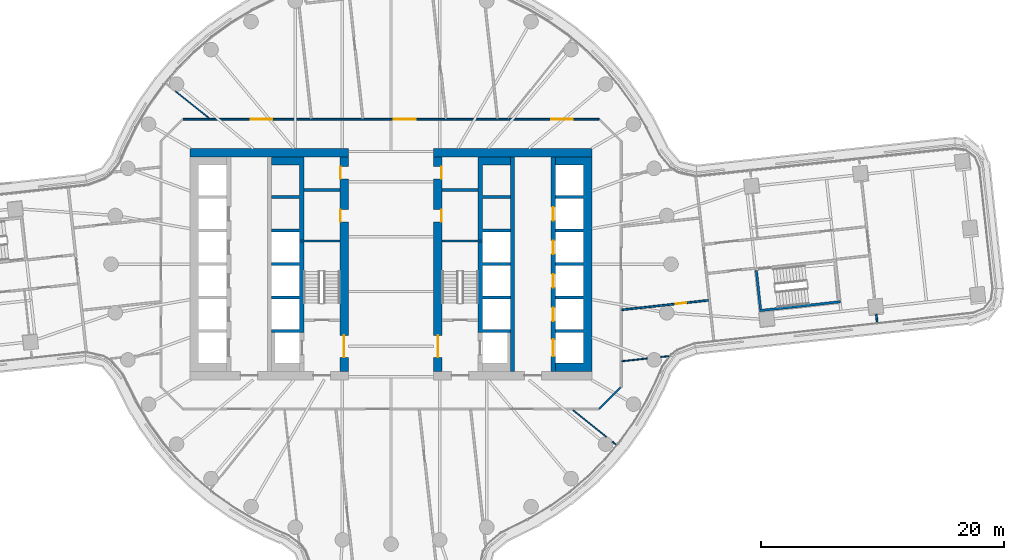
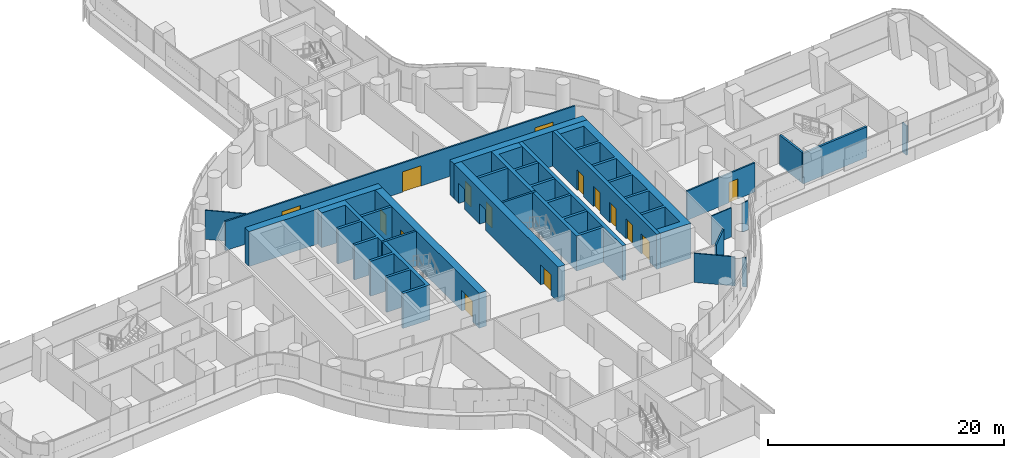
# One storey, part 21 of 31: 24 walls, 15 doors, 15 openings.
"""IFC4 building model written with IfcOpenShell, lengths in metres."""

from ifc_helpers import new_model, si_unit, direction, frame, frame_2d, origin, place, context, subcontext, project, spatial, polyline, rectangle, outline, extrude, material, layer, layer_set, type_object, element, fill, save


model = new_model("IFC4")

# Units and contexts
model_context = context("Model", 3, precision=1e-05, world=origin(), true_north=direction((0.0, 1.0)))
body_context = subcontext(model_context, "Body", "Model", "MODEL_VIEW")
ifc_project = project(units=[si_unit("LENGTHUNIT", "METRE"), si_unit("AREAUNIT", "SQUARE_METRE"), si_unit("VOLUMEUNIT", "CUBIC_METRE"), si_unit("PLANEANGLEUNIT", "RADIAN"), si_unit("MASSUNIT", "GRAM", prefix="KILO")], contexts=[model_context])

# Site, building, storey
site_placement = place(None, origin())
site = spatial("IfcSite", under=ifc_project, at=site_placement, CompositionType="ELEMENT")
building_placement = place(site_placement, origin())
building = spatial("IfcBuilding", under=site, at=building_placement, Name="Tamarind Cross Interchange Tower", CompositionType="ELEMENT")
storey_placement = place(building_placement, frame((0.0, 0.0, 56.5)))
storey = spatial("IfcBuildingStorey", under=building, at=storey_placement, Name="L12", CompositionType="ELEMENT", Elevation=56.5)

# Wall
ifc_material_1 = material(Name="Concrete C80", Category="concrete")
ifc_layer_1 = layer(ifc_material_1, 0.699951171875)
ifc_layer_set_1 = layer_set([ifc_layer_1], Name="Concrete C80")
wall_type_1 = type_object("IfcWallType", Name="Core wall 700 mm Concrete C80", PredefinedType="SHEAR", material=ifc_layer_set_1)
wall_1_placement = place(storey_placement, frame((-16.5, 9.14990234375, 0.0), z_axis=(0.0, 0.0, 1.0), x_axis=(1.0, 0.0, 0.0)))
element("IfcWall", 1, at=wall_1_placement, inside=storey, type_object=wall_type_1, Name="Core wall CWL-L12-W-NE", PredefinedType="SHEAR", context=body_context, shape_type="SweptSolid", body=[
    extrude(rectangle(XDim=13.0, YDim=0.699951171875, at=frame_2d((6.5, 0.0))), origin(), (0.0, 0.0, 1.0), 3.610107421875),
])

# Wall, openings, doors
wall_2_placement = place(storey_placement, frame((-3.85009765625, -8.800048828125, 0.0), z_axis=(0.0, 0.0, 1.0), x_axis=(0.0, 1.0, 0.0)))
wall_2 = element("IfcWall", 2, at=wall_2_placement, inside=storey, type_object=wall_type_1, Name="Core wall CWL-L12-W-IN", PredefinedType="SHEAR", context=body_context, shape_type="SweptSolid", body=[
    extrude(rectangle(XDim=17.60009765625, YDim=0.699951171875, at=frame_2d((8.800048828125, 0.0))), origin(), (0.0, 0.0, 1.0), 3.610107421875),
])
opening_1_placement = place(wall_2_placement, frame((1.14990234375, 0.0, 0.0)))
opening_1 = element("IfcOpeningElement", 3, at=opening_1_placement, cuts=wall_2, Name="Opening DCW4", PredefinedType="OPENING", context=body_context, shape_type="SweptSolid", body=[
    extrude(rectangle(XDim=1.800048828125, YDim=2.10009765625, at=frame_2d((0.89990234375, 1.050048828125))), frame((0.0, 0.35986328125, 0.0), z_axis=(0.0, -1.0, 0.0), x_axis=(1.0, 0.0, 0.0)), (0.0, 0.0, 1.0), 0.719970703125),
])
opening_2_placement = place(wall_2_placement, frame((12.277587890625, 0.0, 0.0)))
opening_2 = element("IfcOpeningElement", 4, at=opening_2_placement, cuts=wall_2, Name="Opening DCW5", PredefinedType="OPENING", context=body_context, shape_type="SweptSolid", body=[
    extrude(rectangle(XDim=1.0, YDim=2.10009765625, at=frame_2d((0.5, 1.050048828125))), frame((0.0, 0.35986328125, 0.0), z_axis=(0.0, -1.0, 0.0), x_axis=(1.0, 0.0, 0.0)), (0.0, 0.0, 1.0), 0.719970703125),
])
opening_3_placement = place(wall_2_placement, frame((15.802490234375, 0.0, 0.0)))
opening_3 = element("IfcOpeningElement", 5, at=opening_3_placement, cuts=wall_2, Name="Opening DCW5", PredefinedType="OPENING", context=body_context, shape_type="SweptSolid", body=[
    extrude(rectangle(XDim=1.0, YDim=2.10009765625, at=frame_2d((0.5, 1.050048828125))), frame((0.0, 0.35986328125, 0.0), z_axis=(0.0, -1.0, 0.0), x_axis=(1.0, 0.0, 0.0)), (0.0, 0.0, 1.0), 0.719970703125),
])
ifc_material_2 = material(Name="Steel, fire-resisting", Category="steel")
door_type_1 = type_object("IfcDoorType", Name="Core fire door 1000 x 2100 FD90", OperationType="SINGLE_SWING_LEFT", PredefinedType="DOOR", material=ifc_material_2)
door_1_placement = place(opening_2_placement, origin())
door_1 = element("IfcDoor", 6, at=door_1_placement, inside=storey, type_object=door_type_1, Name="L12 cleaner's store door", OperationType="SINGLE_SWING_LEFT", OverallHeight=2.10009765625, OverallWidth=1.0, PredefinedType="DOOR", context=body_context, shape_type="SweptSolid", body=[
    extrude(rectangle(XDim=1.0, YDim=2.10009765625, at=frame_2d((0.5, 1.050048828125))), frame((0.0, 0.3251953125, 0.0), z_axis=(0.0, -1.0, 0.0), x_axis=(1.0, 0.0, 0.0)), (0.0, 0.0, 1.0), 0.050048828125),
])
fill(opening_2, door_1)
door_2_placement = place(opening_3_placement, origin())
door_2 = element("IfcDoor", 7, at=door_2_placement, inside=storey, type_object=door_type_1, Name="L12 comms room door", OperationType="SINGLE_SWING_LEFT", OverallHeight=2.10009765625, OverallWidth=1.0, PredefinedType="DOOR", context=body_context, shape_type="SweptSolid", body=[
    extrude(rectangle(XDim=1.0, YDim=2.10009765625, at=frame_2d((0.5, 1.050048828125))), frame((0.0, 0.3251953125, 0.0), z_axis=(0.0, -1.0, 0.0), x_axis=(1.0, 0.0, 0.0)), (0.0, 0.0, 1.0), 0.050048828125),
])
fill(opening_3, door_2)
door_type_2 = type_object("IfcDoorType", Name="Core fire door 1800 x 2100 FD90", OperationType="SINGLE_SWING_LEFT", PredefinedType="DOOR", material=ifc_material_2)
door_3_placement = place(opening_1_placement, origin())
door_3 = element("IfcDoor", 8, at=door_3_placement, inside=storey, type_object=door_type_2, Name="L12 firefighting lobby door", OperationType="SINGLE_SWING_LEFT", OverallHeight=2.10009765625, OverallWidth=1.800048828125, PredefinedType="DOOR", context=body_context, shape_type="SweptSolid", body=[
    extrude(rectangle(XDim=1.800048828125, YDim=2.10009765625, at=frame_2d((0.89990234375, 1.050048828125))), frame((0.0, 0.02490234375, 0.0), z_axis=(0.0, -1.0, 0.0), x_axis=(1.0, 0.0, 0.0)), (0.0, 0.0, 1.0), 0.050048828125),
])
fill(opening_1, door_3)

# Walls
wall_3_placement = place(storey_placement, origin())
element("IfcWall", 9, at=wall_3_placement, inside=storey, type_object=wall_type_1, Name="Core wall CWL-L12-E-A", PredefinedType="SHEAR", context=body_context, shape_type="SweptSolid", body=[
    extrude(outline(polyline([(13.5, -8.800048828125), (15.800048828125, -8.800048828125), (16.5, -8.800048828125), (16.5, 8.800048828125), (15.800048828125, 8.800048828125), (13.5, 8.800048828125), (13.5, 8.125), (15.800048828125, 8.125), (15.800048828125, 5.625), (13.5, 5.625), (13.5, 5.375), (15.800048828125, 5.375), (15.800048828125, 2.875), (13.5, 2.875), (13.5, 2.625), (15.800048828125, 2.625), (15.800048828125, 0.125), (13.5, 0.125), (13.5, -0.125), (15.800048828125, -0.125), (15.800048828125, -2.625), (13.5, -2.625), (13.5, -2.875), (15.800048828125, -2.875), (15.800048828125, -5.375), (13.5, -5.375), (13.5, -5.625), (15.800048828125, -5.625), (15.800048828125, -8.125), (13.5, -8.125), (13.5, -8.800048828125)])), origin(), (0.0, 0.0, 1.0), 3.610107421875),
])
wall_4_placement = place(storey_placement, frame((16.5, 9.14990234375, 0.0), z_axis=(0.0, 0.0, 1.0), x_axis=(-1.0, 0.0, 0.0)))
element("IfcWall", 10, at=wall_4_placement, inside=storey, type_object=wall_type_1, Name="Core wall CWL-L12-E-NE", PredefinedType="SHEAR", context=body_context, shape_type="SweptSolid", body=[
    extrude(rectangle(XDim=13.0, YDim=0.699951171875, at=frame_2d((6.5, 0.0))), origin(), (0.0, 0.0, 1.0), 3.610107421875),
])

# Wall, openings, doors
wall_5_placement = place(storey_placement, frame((3.85009765625, -8.800048828125, 0.0), z_axis=(0.0, 0.0, 1.0), x_axis=(0.0, 1.0, 0.0)))
wall_5 = element("IfcWall", 11, at=wall_5_placement, inside=storey, type_object=wall_type_1, Name="Core wall CWL-L12-E-IN", PredefinedType="SHEAR", context=body_context, shape_type="SweptSolid", body=[
    extrude(rectangle(XDim=17.60009765625, YDim=0.699951171875, at=frame_2d((8.800048828125, 0.0))), origin(), (0.0, 0.0, 1.0), 3.610107421875),
])
opening_4_placement = place(wall_5_placement, frame((1.14990234375, 0.0, 0.0)))
opening_4 = element("IfcOpeningElement", 12, at=opening_4_placement, cuts=wall_5, Name="Opening DCE4", PredefinedType="OPENING", context=body_context, shape_type="SweptSolid", body=[
    extrude(rectangle(XDim=1.800048828125, YDim=2.10009765625, at=frame_2d((0.89990234375, 1.050048828125))), frame((0.0, 0.35986328125, 0.0), z_axis=(0.0, -1.0, 0.0), x_axis=(1.0, 0.0, 0.0)), (0.0, 0.0, 1.0), 0.719970703125),
])
opening_5_placement = place(wall_5_placement, frame((12.277587890625, 0.0, 0.0)))
opening_5 = element("IfcOpeningElement", 13, at=opening_5_placement, cuts=wall_5, Name="Opening DCE5", PredefinedType="OPENING", context=body_context, shape_type="SweptSolid", body=[
    extrude(rectangle(XDim=1.0, YDim=2.10009765625, at=frame_2d((0.5, 1.050048828125))), frame((0.0, 0.35986328125, 0.0), z_axis=(0.0, -1.0, 0.0), x_axis=(1.0, 0.0, 0.0)), (0.0, 0.0, 1.0), 0.719970703125),
])
opening_6_placement = place(wall_5_placement, frame((15.802490234375, 0.0, 0.0)))
opening_6 = element("IfcOpeningElement", 14, at=opening_6_placement, cuts=wall_5, Name="Opening DCE5", PredefinedType="OPENING", context=body_context, shape_type="SweptSolid", body=[
    extrude(rectangle(XDim=1.0, YDim=2.10009765625, at=frame_2d((0.5, 1.050048828125))), frame((0.0, 0.35986328125, 0.0), z_axis=(0.0, -1.0, 0.0), x_axis=(1.0, 0.0, 0.0)), (0.0, 0.0, 1.0), 0.719970703125),
])
door_4_placement = place(opening_5_placement, origin())
door_4 = element("IfcDoor", 15, at=door_4_placement, inside=storey, type_object=door_type_1, Name="L12 cleaner's store door", OperationType="SINGLE_SWING_LEFT", OverallHeight=2.10009765625, OverallWidth=1.0, PredefinedType="DOOR", context=body_context, shape_type="SweptSolid", body=[
    extrude(rectangle(XDim=1.0, YDim=2.10009765625, at=frame_2d((0.5, 1.050048828125))), frame((0.0, -0.27490234375, 0.0), z_axis=(0.0, -1.0, 0.0), x_axis=(1.0, 0.0, 0.0)), (0.0, 0.0, 1.0), 0.050048828125),
])
fill(opening_5, door_4)
door_5_placement = place(opening_6_placement, origin())
door_5 = element("IfcDoor", 16, at=door_5_placement, inside=storey, type_object=door_type_1, Name="L12 comms room door", OperationType="SINGLE_SWING_LEFT", OverallHeight=2.10009765625, OverallWidth=1.0, PredefinedType="DOOR", context=body_context, shape_type="SweptSolid", body=[
    extrude(rectangle(XDim=1.0, YDim=2.10009765625, at=frame_2d((0.5, 1.050048828125))), frame((0.0, -0.27490234375, 0.0), z_axis=(0.0, -1.0, 0.0), x_axis=(1.0, 0.0, 0.0)), (0.0, 0.0, 1.0), 0.050048828125),
])
fill(opening_6, door_5)
door_6_placement = place(opening_4_placement, origin())
door_6 = element("IfcDoor", 17, at=door_6_placement, inside=storey, type_object=door_type_2, Name="L12 firefighting lobby door", OperationType="SINGLE_SWING_LEFT", OverallHeight=2.10009765625, OverallWidth=1.800048828125, PredefinedType="DOOR", context=body_context, shape_type="SweptSolid", body=[
    extrude(rectangle(XDim=1.800048828125, YDim=2.10009765625, at=frame_2d((0.89990234375, 1.050048828125))), frame((0.0, 0.02490234375, 0.0), z_axis=(0.0, -1.0, 0.0), x_axis=(1.0, 0.0, 0.0)), (0.0, 0.0, 1.0), 0.050048828125),
])
fill(opening_4, door_6)

# Walls
ifc_layer_2 = layer(ifc_material_1, 0.199951171875)
ifc_layer_set_2 = layer_set([ifc_layer_2], Name="Concrete C80")
wall_type_2 = type_object("IfcWallType", Name="Core web wall 200 mm Concrete C80", PredefinedType="SHEAR", material=ifc_layer_set_2)
for number, where, z_axis, x_axis, name in (
    (18, (-7.5, 1.89990234375, 0.0), (0.0, 0.0, 1.0), (1.0, 0.0, 0.0), "Core wall CWL-L12-W-BD"),
    (19, (7.5, 1.89990234375, 0.0), (0.0, 0.0, 1.0), (-1.0, 0.0, 0.0), "Core wall CWL-L12-E-BD"),
):
    element("IfcWall", number, at=place(storey_placement, frame(where, z_axis=z_axis, x_axis=x_axis)), inside=storey, type_object=wall_type_2, Name=name, PredefinedType="SHEAR", context=body_context, shape_type="SweptSolid", body=[
        extrude(rectangle(XDim=3.300048828125, YDim=0.199951171875, at=frame_2d((1.64990234375, 0.0))), origin(), (0.0, 0.0, 1.0), 3.610107421875),
    ])
ifc_layer_3 = layer(ifc_material_1, 0.35009765625)
ifc_layer_set_3 = layer_set([ifc_layer_3], Name="Concrete C80")
wall_type_3 = type_object("IfcWallType", Name="Core web wall 350 mm Concrete C80", PredefinedType="SHEAR", material=ifc_layer_set_3)
wall_6_placement = place(storey_placement, origin())
element("IfcWall", 20, at=wall_6_placement, inside=storey, type_object=wall_type_3, Name="Core wall CWL-L12-W-BN", PredefinedType="SHEAR", context=body_context, shape_type="SweptSolid", body=[
    extrude(outline(polyline([(-9.800048828125, -5.375), (-9.800048828125, -5.625), (-7.5, -5.625), (-7.14990234375, -5.625), (-7.14990234375, 8.800048828125), (-7.5, 8.800048828125), (-9.800048828125, 8.800048828125), (-9.800048828125, 8.125), (-7.5, 8.125), (-7.5, 5.625), (-9.800048828125, 5.625), (-9.800048828125, 5.375), (-7.5, 5.375), (-7.5, 2.875), (-9.800048828125, 2.875), (-9.800048828125, 2.625), (-7.5, 2.625), (-7.5, 0.125), (-9.800048828125, 0.125), (-9.800048828125, -0.125), (-7.5, -0.125), (-7.5, -2.625), (-9.800048828125, -2.625), (-9.800048828125, -2.875), (-7.5, -2.875), (-7.5, -5.375), (-9.800048828125, -5.375)])), origin(), (0.0, 0.0, 1.0), 3.610107421875),
])
wall_7_placement = place(storey_placement, origin())
element("IfcWall", 21, at=wall_7_placement, inside=storey, type_object=wall_type_3, Name="Core wall CWL-L12-E-BN", PredefinedType="SHEAR", context=body_context, shape_type="SweptSolid", body=[
    extrude(outline(polyline([(9.800048828125, -5.375), (7.5, -5.375), (7.5, -2.875), (9.800048828125, -2.875), (9.800048828125, -2.625), (7.5, -2.625), (7.5, -0.125), (9.800048828125, -0.125), (9.800048828125, 0.125), (7.5, 0.125), (7.5, 2.625), (9.800048828125, 2.625), (9.800048828125, 2.875), (7.5, 2.875), (7.5, 5.375), (9.800048828125, 5.375), (9.800048828125, 5.625), (7.5, 5.625), (7.5, 8.125), (9.800048828125, 8.125), (9.800048828125, 8.800048828125), (7.5, 8.800048828125), (7.14990234375, 8.800048828125), (7.14990234375, -5.625), (7.5, -5.625), (9.800048828125, -5.625), (9.800048828125, -5.375)])), origin(), (0.0, 0.0, 1.0), 3.610107421875),
])

# Wall, openings, doors
wall_8_placement = place(storey_placement, frame((13.324951171875, -8.800048828125, 0.0), z_axis=(0.0, 0.0, 1.0), x_axis=(0.0, 1.0, 0.0)))
wall_8 = element("IfcWall", 22, at=wall_8_placement, inside=storey, type_object=wall_type_3, Name="Core wall CWL-L12-E-LA", PredefinedType="SHEAR", context=body_context, shape_type="SweptSolid", body=[
    extrude(rectangle(XDim=17.60009765625, YDim=0.35009765625, at=frame_2d((8.800048828125, 0.0))), origin(), (0.0, 0.0, 1.0), 3.610107421875),
])
opening_7_placement = place(wall_8_placement, frame((1.22509765625, 0.0, 0.0)))
opening_7 = element("IfcOpeningElement", 23, at=opening_7_placement, cuts=wall_8, Name="Opening LD13L12", PredefinedType="OPENING", context=body_context, shape_type="SweptSolid", body=[
    extrude(rectangle(XDim=1.39990234375, YDim=2.10009765625, at=frame_2d((0.699951171875, 1.050048828125))), frame((0.0, 0.18505859375, 0.0), z_axis=(0.0, -1.0, 0.0), x_axis=(1.0, 0.0, 0.0)), (0.0, 0.0, 1.0), 0.3701171875),
])
opening_8_placement = place(wall_8_placement, frame((4.125, 0.0, 0.0)))
opening_8 = element("IfcOpeningElement", 24, at=opening_8_placement, cuts=wall_8, Name="Opening LD14L12", PredefinedType="OPENING", context=body_context, shape_type="SweptSolid", body=[
    extrude(rectangle(XDim=1.10009765625, YDim=2.10009765625, at=frame_2d((0.550048828125, 1.050048828125))), frame((0.0, 0.18505859375, 0.0), z_axis=(0.0, -1.0, 0.0), x_axis=(1.0, 0.0, 0.0)), (0.0, 0.0, 1.0), 0.3701171875),
])
opening_9_placement = place(wall_8_placement, frame((6.875, 0.0, 0.0)))
opening_9 = element("IfcOpeningElement", 25, at=opening_9_placement, cuts=wall_8, Name="Opening LD15L12", PredefinedType="OPENING", context=body_context, shape_type="SweptSolid", body=[
    extrude(rectangle(XDim=1.10009765625, YDim=2.10009765625, at=frame_2d((0.550048828125, 1.050048828125))), frame((0.0, 0.18505859375, 0.0), z_axis=(0.0, -1.0, 0.0), x_axis=(1.0, 0.0, 0.0)), (0.0, 0.0, 1.0), 0.3701171875),
])
opening_10_placement = place(wall_8_placement, frame((9.625, 0.0, 0.0)))
opening_10 = element("IfcOpeningElement", 26, at=opening_10_placement, cuts=wall_8, Name="Opening LD16L12", PredefinedType="OPENING", context=body_context, shape_type="SweptSolid", body=[
    extrude(rectangle(XDim=1.10009765625, YDim=2.10009765625, at=frame_2d((0.550048828125, 1.050048828125))), frame((0.0, 0.18505859375, 0.0), z_axis=(0.0, -1.0, 0.0), x_axis=(1.0, 0.0, 0.0)), (0.0, 0.0, 1.0), 0.3701171875),
])
opening_11_placement = place(wall_8_placement, frame((12.375, 0.0, 0.0)))
opening_11 = element("IfcOpeningElement", 27, at=opening_11_placement, cuts=wall_8, Name="Opening LD17L12", PredefinedType="OPENING", context=body_context, shape_type="SweptSolid", body=[
    extrude(rectangle(XDim=1.10009765625, YDim=2.10009765625, at=frame_2d((0.550048828125, 1.050048828125))), frame((0.0, 0.18505859375, 0.0), z_axis=(0.0, -1.0, 0.0), x_axis=(1.0, 0.0, 0.0)), (0.0, 0.0, 1.0), 0.3701171875),
])
ifc_material_3 = material(Name="Stainless steel panel", Category="steel")
door_type_3 = type_object("IfcDoorType", Name="Lift landing door 1100 x 2100 E 120", OperationType="SLIDING_TO_LEFT", PredefinedType="DOOR", material=ifc_material_3)
door_7_placement = place(opening_8_placement, origin())
door_7 = element("IfcDoor", 28, at=door_7_placement, inside=storey, type_object=door_type_3, Name="L12 landing door LF14", OperationType="SLIDING_TO_LEFT", OverallHeight=2.10009765625, OverallWidth=1.10009765625, PredefinedType="DOOR", context=body_context, shape_type="SweptSolid", body=[
    extrude(rectangle(XDim=1.10009765625, YDim=2.10009765625, at=frame_2d((0.550048828125, 1.050048828125))), frame((0.0, 0.02490234375, 0.0), z_axis=(0.0, -1.0, 0.0), x_axis=(1.0, 0.0, 0.0)), (0.0, 0.0, 1.0), 0.050048828125),
])
fill(opening_8, door_7)
door_8_placement = place(opening_9_placement, origin())
door_8 = element("IfcDoor", 29, at=door_8_placement, inside=storey, type_object=door_type_3, Name="L12 landing door LF15", OperationType="SLIDING_TO_LEFT", OverallHeight=2.10009765625, OverallWidth=1.10009765625, PredefinedType="DOOR", context=body_context, shape_type="SweptSolid", body=[
    extrude(rectangle(XDim=1.10009765625, YDim=2.10009765625, at=frame_2d((0.550048828125, 1.050048828125))), frame((0.0, 0.02490234375, 0.0), z_axis=(0.0, -1.0, 0.0), x_axis=(1.0, 0.0, 0.0)), (0.0, 0.0, 1.0), 0.050048828125),
])
fill(opening_9, door_8)
door_9_placement = place(opening_10_placement, origin())
door_9 = element("IfcDoor", 30, at=door_9_placement, inside=storey, type_object=door_type_3, Name="L12 landing door LF16", OperationType="SLIDING_TO_LEFT", OverallHeight=2.10009765625, OverallWidth=1.10009765625, PredefinedType="DOOR", context=body_context, shape_type="SweptSolid", body=[
    extrude(rectangle(XDim=1.10009765625, YDim=2.10009765625, at=frame_2d((0.550048828125, 1.050048828125))), frame((0.0, 0.02490234375, 0.0), z_axis=(0.0, -1.0, 0.0), x_axis=(1.0, 0.0, 0.0)), (0.0, 0.0, 1.0), 0.050048828125),
])
fill(opening_10, door_9)
door_10_placement = place(opening_11_placement, origin())
door_10 = element("IfcDoor", 31, at=door_10_placement, inside=storey, type_object=door_type_3, Name="L12 landing door LF17", OperationType="SLIDING_TO_LEFT", OverallHeight=2.10009765625, OverallWidth=1.10009765625, PredefinedType="DOOR", context=body_context, shape_type="SweptSolid", body=[
    extrude(rectangle(XDim=1.10009765625, YDim=2.10009765625, at=frame_2d((0.550048828125, 1.050048828125))), frame((0.0, 0.02490234375, 0.0), z_axis=(0.0, -1.0, 0.0), x_axis=(1.0, 0.0, 0.0)), (0.0, 0.0, 1.0), 0.050048828125),
])
fill(opening_11, door_10)
door_type_4 = type_object("IfcDoorType", Name="Lift landing door 1400 x 2100 E 120", OperationType="SLIDING_TO_LEFT", PredefinedType="DOOR", material=ifc_material_3)
door_11_placement = place(opening_7_placement, origin())
door_11 = element("IfcDoor", 32, at=door_11_placement, inside=storey, type_object=door_type_4, Name="L12 landing door LF13", OperationType="SLIDING_TO_LEFT", OverallHeight=2.10009765625, OverallWidth=1.39990234375, PredefinedType="DOOR", context=body_context, shape_type="SweptSolid", body=[
    extrude(rectangle(XDim=1.39990234375, YDim=2.10009765625, at=frame_2d((0.699951171875, 1.050048828125))), frame((0.0, 0.02490234375, 0.0), z_axis=(0.0, -1.0, 0.0), x_axis=(1.0, 0.0, 0.0)), (0.0, 0.0, 1.0), 0.050048828125),
])
fill(opening_7, door_11)

# Walls
wall_9_placement = place(storey_placement, frame((9.97509765625, -8.800048828125, 0.0), z_axis=(0.0, 0.0, 1.0), x_axis=(0.0, 1.0, 0.0)))
element("IfcWall", 33, at=wall_9_placement, inside=storey, type_object=wall_type_3, Name="Core wall CWL-L12-E-LB", PredefinedType="SHEAR", context=body_context, shape_type="SweptSolid", body=[
    extrude(rectangle(XDim=17.60009765625, YDim=0.35009765625, at=frame_2d((8.800048828125, 0.0))), origin(), (0.0, 0.0, 1.0), 3.610107421875),
])
ifc_material_4 = material(Name="Gypsum board partition on steel studs", Category="steel")
ifc_layer_4 = layer(ifc_material_4, 0.10009765625)
ifc_layer_set_4 = layer_set([ifc_layer_4], Name="Gypsum board partition on steel studs")
wall_type_4 = type_object("IfcWallType", Name="Partition 100 mm EI 120", PredefinedType="PARTITIONING", material=ifc_layer_set_4)
wall_10_placement = place(storey_placement, frame((-17.69921875, 14.195556640625, 0.0), z_axis=(0.0, 0.0, 1.0), x_axis=(0.78010226666, -0.625652022735, 0.0)))
element("IfcWall", 34, at=wall_10_placement, inside=storey, type_object=wall_type_4, Name="Partition L12-038", PredefinedType="PARTITIONING", context=body_context, shape_type="SweptSolid", body=[
    extrude(rectangle(XDim=3.513916015625, YDim=0.10009765625, at=frame_2d((1.7568359375, 0.0))), origin(), (0.0, 0.0, 1.0), 3.010009765625),
])
wall_11_placement = place(storey_placement, frame((14.9580078125, -11.99658203125, 0.0), z_axis=(0.0, 0.0, 1.0), x_axis=(0.780082130654, -0.625677128745, 0.0)))
element("IfcWall", 35, at=wall_11_placement, inside=storey, type_object=wall_type_4, Name="Partition L12-039", PredefinedType="PARTITIONING", context=body_context, shape_type="SweptSolid", body=[
    extrude(rectangle(XDim=3.514892578125, YDim=0.10009765625, at=frame_2d((1.75732421875, 0.0))), origin(), (0.0, 0.0, 1.0), 3.010009765625),
])
ifc_layer_5 = layer(ifc_material_4, 0.10009765625)
ifc_layer_set_5 = layer_set([ifc_layer_5], Name="Gypsum board partition on steel studs")
wall_type_5 = type_object("IfcWallType", Name="Partition 100 mm EI 90", PredefinedType="PARTITIONING", material=ifc_layer_set_5)
wall_12_placement = place(storey_placement, frame((18.173095703125, -14.5751953125, 0.0), z_axis=(0.0, 0.0, 1.0), x_axis=(0.780001200439, -0.625778017602, 0.0)))
element("IfcWall", 36, at=wall_12_placement, inside=storey, type_object=wall_type_5, Name="Partition L12-040", PredefinedType="PARTITIONING", context=body_context, shape_type="SweptSolid", body=[
    extrude(rectangle(XDim=0.384765625, YDim=0.10009765625, at=frame_2d((0.1923828125, 0.0))), origin(), (0.0, 0.0, 1.0), 3.010009765625),
])
wall_13_placement = place(storey_placement, frame((18.964599609375, -7.97900390625, 0.0), z_axis=(0.0, 0.0, 1.0), x_axis=(0.994020279747, 0.109195620111, 0.0)))
element("IfcWall", 37, at=wall_13_placement, inside=storey, type_object=wall_type_5, Name="Partition L12-069", PredefinedType="PARTITIONING", context=body_context, shape_type="SweptSolid", body=[
    extrude(rectangle(XDim=2.08154296875, YDim=0.10009765625, at=frame_2d((1.040771484375, 0.0))), origin(), (0.0, 0.0, 1.0), 3.010009765625),
])
wall_14_placement = place(storey_placement, frame((22.1591796875, -7.62841796875, 0.0), z_axis=(0.0, 0.0, 1.0), x_axis=(0.994017126998, 0.10922431613, 0.0)))
element("IfcWall", 38, at=wall_14_placement, inside=storey, type_object=wall_type_5, Name="Partition L12-070", PredefinedType="PARTITIONING", context=body_context, shape_type="SweptSolid", body=[
    extrude(rectangle(XDim=0.643798828125, YDim=0.10009765625, at=frame_2d((0.32177734375, 0.0))), origin(), (0.0, 0.0, 1.0), 3.010009765625),
])
ifc_layer_6 = layer(ifc_material_4, 0.14990234375)
ifc_layer_set_6 = layer_set([ifc_layer_6], Name="Gypsum board partition on steel studs")
wall_type_6 = type_object("IfcWallType", Name="Partition 150 mm EI 120", PredefinedType="PARTITIONING", material=ifc_layer_set_6)
wall_15_placement = place(storey_placement, frame((39.859619140625, -4.13720703125, 0.0), z_axis=(0.0, 0.0, 1.0), x_axis=(0.108957613514, -0.994046396532, 0.0)))
element("IfcWall", 39, at=wall_15_placement, inside=storey, type_object=wall_type_6, Name="Partition L12-034", PredefinedType="PARTITIONING", context=body_context, shape_type="SweptSolid", body=[
    extrude(rectangle(XDim=0.636474609375, YDim=0.14990234375, at=frame_2d((0.318359375, 0.0))), origin(), (0.0, 0.0, 1.0), 3.010009765625),
])

# Wall, openings, doors
wall_16_placement = place(storey_placement, frame((-17.06494140625, 11.89990234375, 0.0), z_axis=(0.0, 0.0, 1.0), x_axis=(1.0, 0.0, 0.0)))
wall_16 = element("IfcWall", 40, at=wall_16_placement, inside=storey, type_object=wall_type_6, Name="Partition L12-042", PredefinedType="PARTITIONING", context=body_context, shape_type="SweptSolid", body=[
    extrude(rectangle(XDim=34.1650390625, YDim=0.14990234375, at=frame_2d((17.08251953125, 0.0))), origin(), (0.0, 0.0, 1.0), 3.010009765625),
])
opening_12_placement = place(wall_16_placement, frame((17.303955078125, 0.0, 0.0)))
opening_12 = element("IfcOpeningElement", 41, at=opening_12_placement, cuts=wall_16, Name="Opening D19", PredefinedType="OPENING", context=body_context, shape_type="SweptSolid", body=[
    extrude(rectangle(XDim=1.800048828125, YDim=2.10009765625, at=frame_2d((0.89990234375, 1.050048828125))), frame((0.0, 0.0849609375, 0.0), z_axis=(0.0, -1.0, 0.0), x_axis=(1.0, 0.0, 0.0)), (0.0, 0.0, 1.0), 0.169921875),
])
opening_13_placement = place(wall_16_placement, frame((30.208984375, 0.0, 0.0)))
opening_13 = element("IfcOpeningElement", 42, at=opening_13_placement, cuts=wall_16, Name="Opening D20", PredefinedType="OPENING", context=body_context, shape_type="SweptSolid", body=[
    extrude(rectangle(XDim=1.800048828125, YDim=2.10009765625, at=frame_2d((0.89990234375, 1.050048828125))), frame((0.0, 0.0849609375, 0.0), z_axis=(0.0, -1.0, 0.0), x_axis=(1.0, 0.0, 0.0)), (0.0, 0.0, 1.0), 0.169921875),
])
opening_14_placement = place(wall_16_placement, frame((5.528076171875, 0.0, 0.0)))
opening_14 = element("IfcOpeningElement", 43, at=opening_14_placement, cuts=wall_16, Name="Opening D21", PredefinedType="OPENING", context=body_context, shape_type="SweptSolid", body=[
    extrude(rectangle(XDim=1.800048828125, YDim=2.10009765625, at=frame_2d((0.89990234375, 1.050048828125))), frame((0.0, 0.0849609375, 0.0), z_axis=(0.0, -1.0, 0.0), x_axis=(1.0, 0.0, 0.0)), (0.0, 0.0, 1.0), 0.169921875),
])
ifc_material_5 = material(Name="Fire-resisting door set")
door_type_5 = type_object("IfcDoorType", Name="Interior door 1800 x 2100 FD60S", OperationType="DOUBLE_DOOR_SINGLE_SWING", PredefinedType="DOOR", material=ifc_material_5)
door_12_placement = place(opening_12_placement, frame((1.800048828125, 0.0, 0.0), z_axis=(0.0, 0.0, 1.0), x_axis=(-1.0, 0.0, 0.0)))
door_12 = element("IfcDoor", 44, at=door_12_placement, inside=storey, type_object=door_type_5, Name="Door D19", OperationType="DOUBLE_DOOR_SINGLE_SWING", OverallHeight=2.10009765625, OverallWidth=1.800048828125, PredefinedType="DOOR", context=body_context, shape_type="SweptSolid", body=[
    extrude(rectangle(XDim=1.800048828125, YDim=2.10009765625, at=frame_2d((0.89990234375, 1.050048828125))), frame((0.0, 0.02490234375, 0.0), z_axis=(0.0, -1.0, 0.0), x_axis=(1.0, 0.0, 0.0)), (0.0, 0.0, 1.0), 0.050048828125),
])
fill(opening_12, door_12)
door_13_placement = place(opening_13_placement, origin())
door_13 = element("IfcDoor", 45, at=door_13_placement, inside=storey, type_object=door_type_5, Name="Door D20", OperationType="DOUBLE_DOOR_SINGLE_SWING", OverallHeight=2.10009765625, OverallWidth=1.800048828125, PredefinedType="DOOR", context=body_context, shape_type="SweptSolid", body=[
    extrude(rectangle(XDim=1.800048828125, YDim=2.10009765625, at=frame_2d((0.89990234375, 1.050048828125))), frame((0.0, 0.02490234375, 0.0), z_axis=(0.0, -1.0, 0.0), x_axis=(1.0, 0.0, 0.0)), (0.0, 0.0, 1.0), 0.050048828125),
])
fill(opening_13, door_13)
door_14_placement = place(opening_14_placement, origin())
door_14 = element("IfcDoor", 46, at=door_14_placement, inside=storey, type_object=door_type_5, Name="Door D21", OperationType="DOUBLE_DOOR_SINGLE_SWING", OverallHeight=2.10009765625, OverallWidth=1.800048828125, PredefinedType="DOOR", context=body_context, shape_type="SweptSolid", body=[
    extrude(rectangle(XDim=1.800048828125, YDim=2.10009765625, at=frame_2d((0.89990234375, 1.050048828125))), frame((0.0, 0.02490234375, 0.0), z_axis=(0.0, -1.0, 0.0), x_axis=(1.0, 0.0, 0.0)), (0.0, 0.0, 1.0), 0.050048828125),
])
fill(opening_14, door_14)

# Wall, opening, door
wall_17_placement = place(storey_placement, frame((18.964599609375, -3.75390625, 0.0), z_axis=(0.0, 0.0, 1.0), x_axis=(0.994024445996, 0.1091576876, 0.0)))
wall_17 = element("IfcWall", 47, at=wall_17_placement, inside=storey, type_object=wall_type_6, Name="Partition L12-064", PredefinedType="PARTITIONING", context=body_context, shape_type="SweptSolid", body=[
    extrude(rectangle(XDim=7.152587890625, YDim=0.14990234375, at=frame_2d((3.576171875, 0.0))), origin(), (0.0, 0.0, 1.0), 3.010009765625),
])
opening_15_placement = place(wall_17_placement, frame((4.43505859375, 0.0, 0.0)))
opening_15 = element("IfcOpeningElement", 48, at=opening_15_placement, cuts=wall_17, Name="Opening D33", PredefinedType="OPENING", context=body_context, shape_type="SweptSolid", body=[
    extrude(rectangle(XDim=0.89990234375, YDim=2.10009765625, at=frame_2d((0.449951171875, 1.050048828125))), frame((0.0, 0.0849609375, 0.0), z_axis=(0.0, -1.0, 0.0), x_axis=(1.0, 0.0, 0.0)), (0.0, 0.0, 1.0), 0.169921875),
])
door_type_6 = type_object("IfcDoorType", Name="Interior door 900 x 2100 FD60S", OperationType="SINGLE_SWING_LEFT", PredefinedType="DOOR", material=ifc_material_5)
door_15_placement = place(opening_15_placement, frame((0.89990234375, 0.0, 0.0), z_axis=(0.0, 0.0, 1.0), x_axis=(-1.0, 0.0, 0.0)))
door_15 = element("IfcDoor", 49, at=door_15_placement, inside=storey, type_object=door_type_6, Name="Door D33", OperationType="SINGLE_SWING_RIGHT", OverallHeight=2.10009765625, OverallWidth=0.89990234375, PredefinedType="DOOR", context=body_context, shape_type="SweptSolid", body=[
    extrude(rectangle(XDim=0.89990234375, YDim=2.10009765625, at=frame_2d((0.449951171875, 1.050048828125))), frame((0.0, 0.02490234375, 0.0), z_axis=(0.0, -1.0, 0.0), x_axis=(1.0, 0.0, 0.0)), (0.0, 0.0, 1.0), 0.050048828125),
])
fill(opening_15, door_15)

# Walls
wall_18_placement = place(storey_placement, frame((17.10009765625, -11.89990234375, 0.0), z_axis=(0.0, 0.0, 1.0), x_axis=(0.707106781187, 0.707106781187, 0.0)))
element("IfcWall", 50, at=wall_18_placement, inside=storey, type_object=wall_type_6, Name="Partition L12-075", PredefinedType="PARTITIONING", context=body_context, shape_type="SweptSolid", body=[
    extrude(rectangle(XDim=2.50537109375, YDim=0.14990234375, at=frame_2d((1.252685546875, 0.0))), origin(), (0.0, 0.0, 1.0), 3.010009765625),
])
ifc_material_6 = material(Name="Concrete C40", Category="concrete")
ifc_layer_7 = layer(ifc_material_6, 0.25)
ifc_layer_set_7 = layer_set([ifc_layer_7], Name="Concrete C40")
wall_type_7 = type_object("IfcWallType", Name="Shaft and lobby wall 250 mm Concrete C40", PredefinedType="PARTITIONING", material=ifc_layer_set_7)
for number, where, z_axis, x_axis, name in (
    (51, (-7.14990234375, 6.080078125, 0.0), (0.0, 0.0, 1.0), (1.0, 0.0, 0.0), "Shaft wall CWL-L12-W-SVP"),
    (52, (7.14990234375, 6.080078125, 0.0), (0.0, 0.0, 1.0), (-1.0, 0.0, 0.0), "Shaft wall CWL-L12-E-SVP"),
):
    element("IfcWall", number, at=place(storey_placement, frame(where, z_axis=z_axis, x_axis=x_axis)), inside=storey, type_object=wall_type_7, Name=name, PredefinedType="PARTITIONING", context=body_context, shape_type="SweptSolid", body=[
        extrude(rectangle(XDim=2.949951171875, YDim=0.25, at=frame_2d((1.47509765625, 0.0))), origin(), (0.0, 0.0, 1.0), 3.610107421875),
    ])
ifc_layer_8 = layer(ifc_material_6, 0.199951171875)
ifc_layer_set_8 = layer_set([ifc_layer_8], Name="Concrete C40")
wall_type_8 = type_object("IfcWallType", Name="Stair shaft wall 200 mm Concrete C40", PredefinedType="SHEAR", material=ifc_layer_set_8)
wall_19_placement = place(storey_placement, frame((30.2666015625, -3.8203125, -0.139892578125), z_axis=(0.0, 0.0, 1.0), x_axis=(0.994018960813, 0.10920762585, 0.0)))
element("IfcWall", 53, at=wall_19_placement, inside=storey, type_object=wall_type_8, Name="Core wall CWL-L12-ST3-C", PredefinedType="SHEAR", context=body_context, shape_type="SweptSolid", body=[
    extrude(rectangle(XDim=6.699951171875, YDim=0.199951171875, at=frame_2d((3.35009765625, 0.0))), origin(), (0.0, 0.0, 1.0), 3.14990234375),
])
wall_20_placement = place(storey_placement, frame((30.35498046875, -3.7099609375, -0.139892578125), z_axis=(0.0, 0.0, 1.0), x_axis=(-0.109175393326, 0.994022501502, 0.0)))
element("IfcWall", 54, at=wall_20_placement, inside=storey, type_object=wall_type_8, Name="Core wall CWL-L12-ST3-CE", PredefinedType="SHEAR", context=body_context, shape_type="SweptSolid", body=[
    extrude(rectangle(XDim=3.199951171875, YDim=0.199951171875, at=frame_2d((1.60009765625, 0.0))), origin(), (0.0, 0.0, 1.0), 3.14990234375),
])

save(model, "model.ifc")
